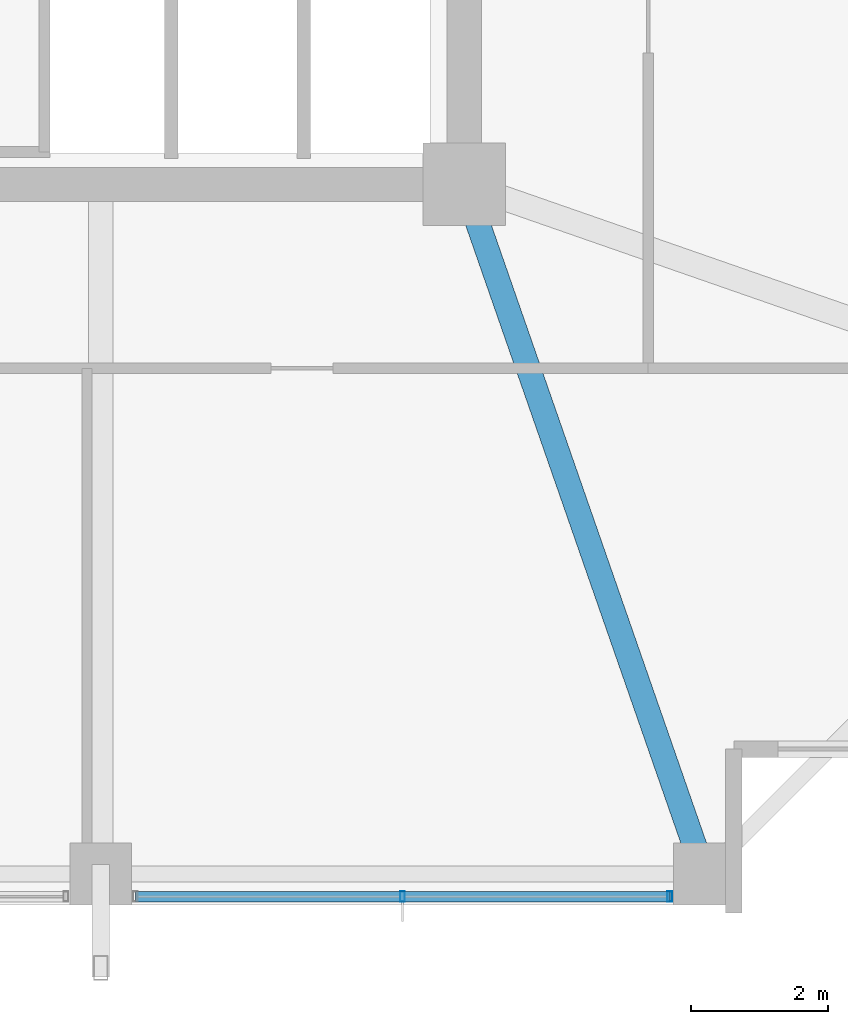
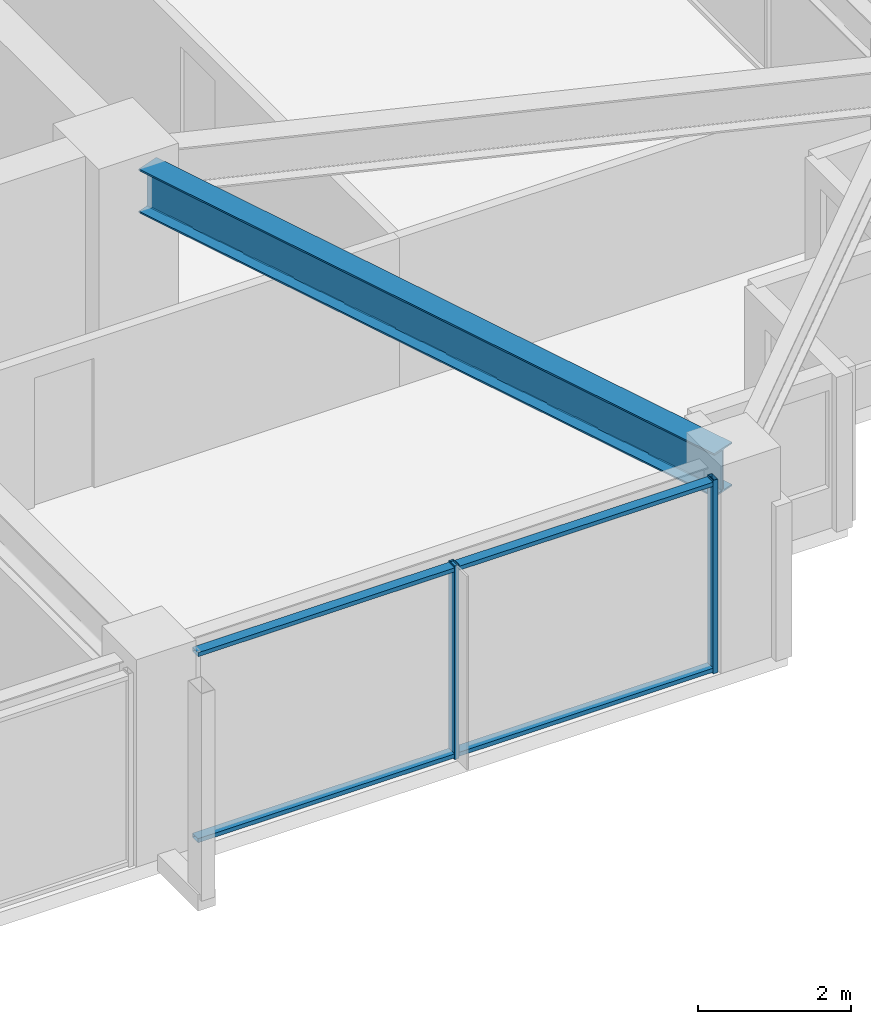
# One storey, part 10 of 35: 4 members, 1 beam, 1 element without a shape of its own.
"""IFC4 building model written with IfcOpenShell, lengths in metres."""

from ifc_helpers import new_model, si_unit, direction, frame, origin, origin_2d, place, context, subcontext, project, spatial, hollow_rectangle, i_section, extrude, material, material_profile, profile_set, type_object, element, aggregate, save


model = new_model("IFC4")

# Units and contexts
model_context = context("Model", 3, precision=1e-05, world=origin(), true_north=direction((0.0, 1.0)))
body_context = subcontext(model_context, "Body", "Model", "MODEL_VIEW")
ifc_project = project(units=[si_unit("LENGTHUNIT", "METRE"), si_unit("AREAUNIT", "SQUARE_METRE"), si_unit("VOLUMEUNIT", "CUBIC_METRE"), si_unit("PLANEANGLEUNIT", "RADIAN"), si_unit("MASSUNIT", "GRAM", prefix="KILO")], contexts=[model_context])

# Site, building, storey
site_placement = place(None, origin())
site = spatial("IfcSite", under=ifc_project, at=site_placement, CompositionType="ELEMENT")
building_placement = place(site_placement, origin())
building = spatial("IfcBuilding", under=site, at=building_placement, Name="Kolvaren Belvedere", CompositionType="ELEMENT")
storey_placement = place(building_placement, frame((0.0, 0.0, 183.300048828125)))
storey = spatial("IfcBuildingStorey", under=building, at=storey_placement, Name="L53", CompositionType="ELEMENT", Elevation=183.300048828125)

# Beam
ifc_material_1 = material(Name="Structural steel ASTM A992 Grade 50", Category="steel")
ifc_material_profile_1 = material_profile(ifc_material_1, i_section(OverallWidth=0.35498046875, OverallDepth=0.696044921875, WebThickness=0.015380859375, FlangeThickness=0.02490234375, FilletRadius=0.02197265625, at=origin_2d()), Name="W27X146")
ifc_profile_set_1 = profile_set([ifc_material_profile_1], Name="Structural steel ASTM A992 Grade 50")
beam_type = type_object("IfcBeamType", Name="BM-GIRD-W27X146", PredefinedType="BEAM", material=ifc_profile_set_1)
beam_placement = place(storey_placement, frame((10.080810546875, -10.41943359375, 2.73193359375), z_axis=(0.328894130701, -0.944366798861, 0.0), x_axis=(0.944366798861, 0.328894130701, 0.0)))
element("IfcBeam", 1, at=beam_placement, inside=storey, type_object=beam_type, Name="L53 Corner Core-to-Perimeter Girder CC2-S4", PredefinedType="BEAM", context=body_context, shape_type="SweptSolid", body=[
    extrude(i_section(OverallWidth=0.35498046875, OverallDepth=0.696044921875, WebThickness=0.015380859375, FlangeThickness=0.02490234375, FilletRadius=0.02197265625, at=origin_2d()), origin(), (0.0, 0.0, 1.0), 9.912109375),
])

# Curtain wall, members
ifc_material_2 = material(Name="Anodised pale-metal aluminium AA 6063-T6", Category="aluminium")
curtain_wall_type = type_object("IfcCurtainWallType", Name="CW-Z5-HIGH", PredefinedType="NOTDEFINED", material=ifc_material_2)
curtain_wall_placement = place(storey_placement, origin())
curtain_wall = element("IfcCurtainWall", 2, at=curtain_wall_placement, inside=storey, type_object=curtain_wall_type, Name="L53 Unitised Curtain Wall FCW-L53-S-B1", PredefinedType="NOTDEFINED")
ifc_material_3 = material(Name="Anodised pale-metal aluminium AA 6063-T6", Category="aluminium")
ifc_material_profile_2 = material_profile(ifc_material_3, hollow_rectangle(XDim=0.070068359375, YDim=0.14990234375, WallThickness=0.004150390625, at=origin_2d()), Name="ALU-MUL-150X70")
ifc_profile_set_2 = profile_set([ifc_material_profile_2], Name="Anodised pale-metal aluminium AA 6063-T6")
member_type_1 = type_object("IfcMemberType", Name="CW-MUL-150", PredefinedType="MULLION", material=ifc_profile_set_2)
member_1_placement = place(storey_placement, frame((12.89501953125, -20.280029296875, 0.0), z_axis=(0.0, 0.0, 1.0), x_axis=(1.0, 0.0, 0.0)))
member_1 = element("IfcMember", 3, at=member_1_placement, type_object=member_type_1, Name="FCW-L53-S-B1 Unitised Mullion 1", PredefinedType="MULLION", context=body_context, shape_type="SweptSolid", body=[
    extrude(hollow_rectangle(XDim=0.070068359375, YDim=0.14990234375, WallThickness=0.004150390625, at=origin_2d()), origin(), (0.0, 0.0, 1.0), 3.079833984375),
])
member_2_placement = place(storey_placement, frame((9.0, -20.280029296875, 0.0), z_axis=(0.0, 0.0, 1.0), x_axis=(1.0, 0.0, 0.0)))
member_2 = element("IfcMember", 4, at=member_2_placement, type_object=member_type_1, Name="FCW-L53-S-B1 Unitised Mullion 2", PredefinedType="MULLION", context=body_context, shape_type="SweptSolid", body=[
    extrude(hollow_rectangle(XDim=0.070068359375, YDim=0.14990234375, WallThickness=0.004150390625, at=origin_2d()), origin(), (0.0, 0.0, 1.0), 3.079833984375),
])
ifc_material_4 = material(Name="Anodised pale-metal aluminium AA 6063-T6", Category="aluminium")
ifc_material_profile_3 = material_profile(ifc_material_4, hollow_rectangle(XDim=0.06494140625, YDim=0.14990234375, WallThickness=0.00390625, at=origin_2d()), Name="ALU-TRN-150X65")
ifc_profile_set_3 = profile_set([ifc_material_profile_3], Name="Anodised pale-metal aluminium AA 6063-T6")
member_type_2 = type_object("IfcMemberType", Name="CW-TRN-150", PredefinedType="USERDEFINED", material=ifc_profile_set_3)
member_3_placement = place(storey_placement, frame((12.89501953125, -20.280029296875, 0.06005859375), z_axis=(-1.0, 0.0, 0.0), x_axis=(0.0, 0.0, 1.0)))
member_3 = element("IfcMember", 5, at=member_3_placement, type_object=member_type_2, Name="FCW-L53-S-B1 Sill Transom", ObjectType="TRANSOM", PredefinedType="USERDEFINED", context=body_context, shape_type="SweptSolid", body=[
    extrude(hollow_rectangle(XDim=0.06494140625, YDim=0.14990234375, WallThickness=0.00390625, at=origin_2d()), origin(), (0.0, 0.0, 1.0), 7.7900390625),
])
member_4_placement = place(storey_placement, frame((12.89501953125, -20.280029296875, 3.02001953125), z_axis=(-1.0, 0.0, 0.0), x_axis=(0.0, 0.0, 1.0)))
member_4 = element("IfcMember", 6, at=member_4_placement, type_object=member_type_2, Name="FCW-L53-S-B1 Head Transom", ObjectType="TRANSOM", PredefinedType="USERDEFINED", context=body_context, shape_type="SweptSolid", body=[
    extrude(hollow_rectangle(XDim=0.06494140625, YDim=0.14990234375, WallThickness=0.00390625, at=origin_2d()), origin(), (0.0, 0.0, 1.0), 7.7900390625),
])
aggregate(curtain_wall, [member_1, member_2, member_3, member_4])

save(model, "model.ifc")
